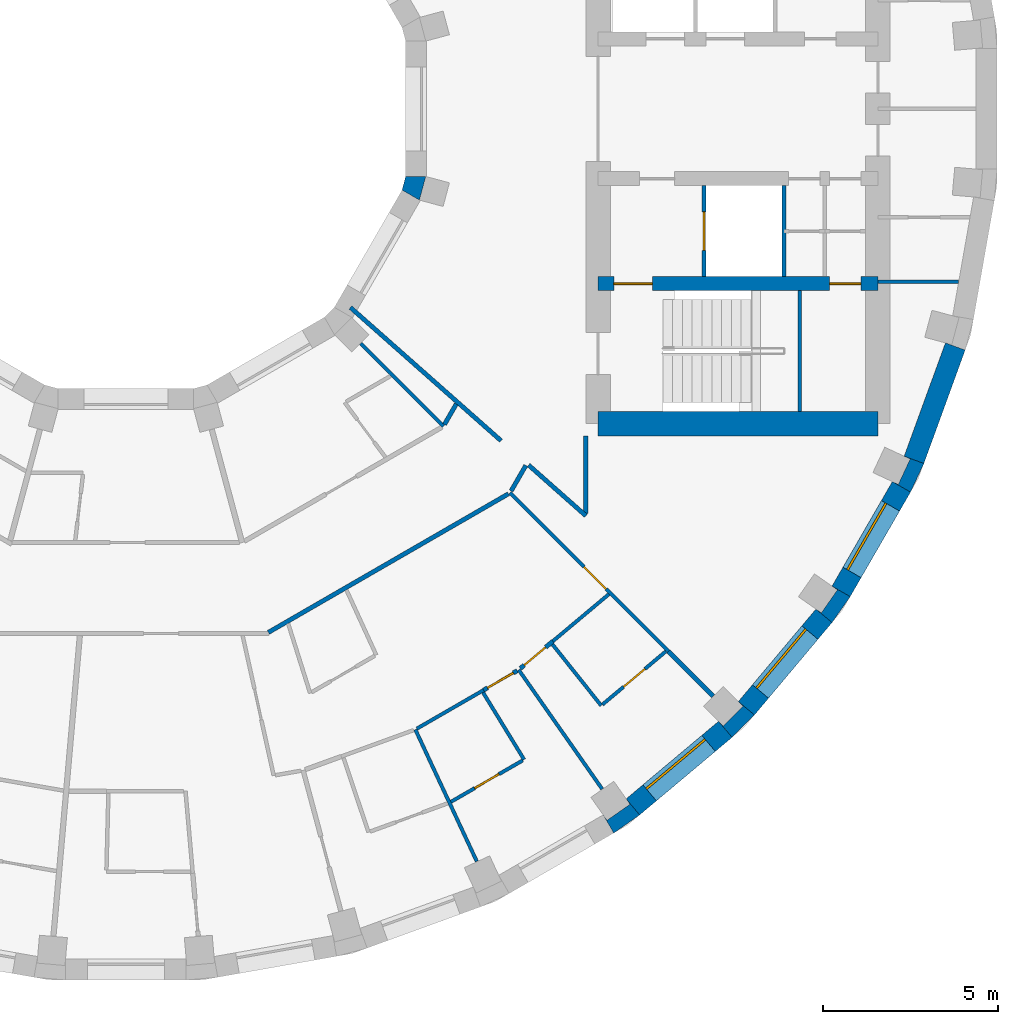
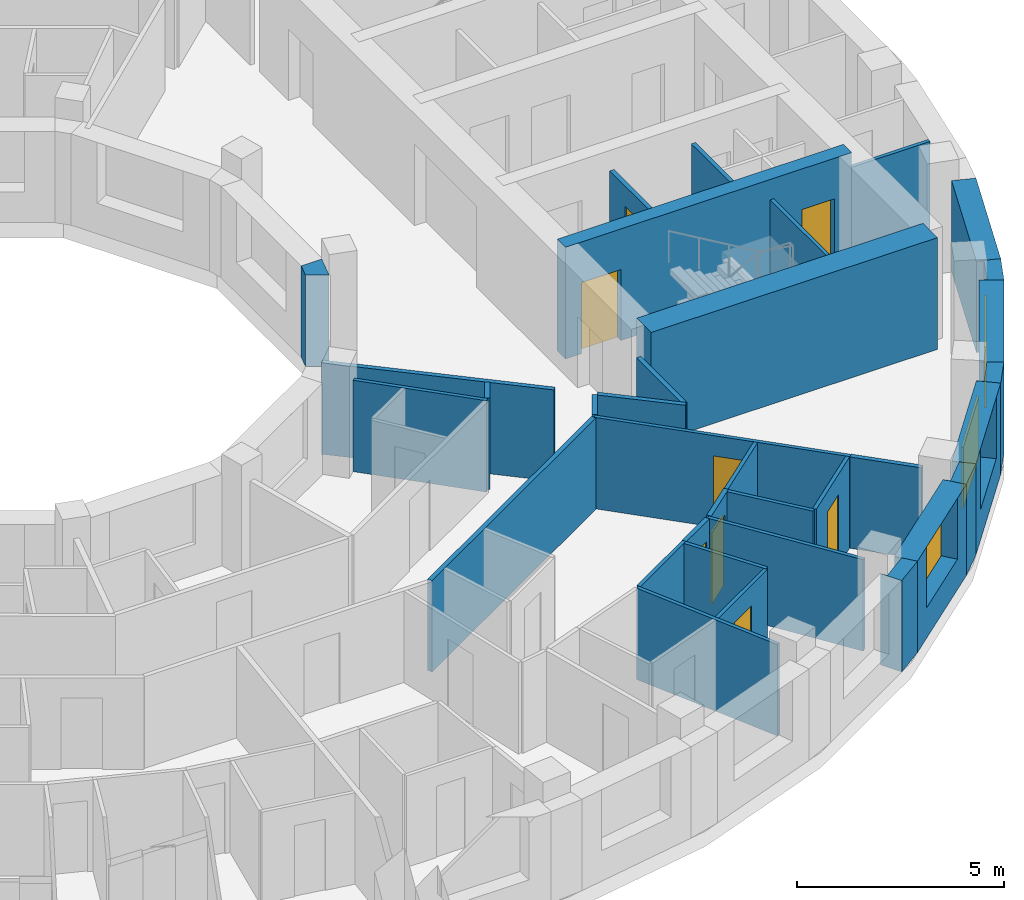
# One storey, part 8 of 14: 34 walls, 8 doors, 3 windows, 11 openings.
"""IFC4 building model written with IfcOpenShell, lengths in metres."""

from ifc_helpers import new_model, si_unit, direction, frame, frame_2d, origin, place, context, subcontext, project, spatial, polyline, rectangle, outline, extrude, material, layer, layer_set, type_object, element, fill, save


model = new_model("IFC4")

# Units and contexts
model_context = context("Model", 3, precision=1e-05, world=origin(), true_north=direction((0.0, 1.0)))
body_context = subcontext(model_context, "Body", "Model", "MODEL_VIEW")
ifc_project = project(units=[si_unit("LENGTHUNIT", "METRE"), si_unit("AREAUNIT", "SQUARE_METRE"), si_unit("VOLUMEUNIT", "CUBIC_METRE"), si_unit("PLANEANGLEUNIT", "RADIAN"), si_unit("MASSUNIT", "GRAM", prefix="KILO")], contexts=[model_context])

# Site, building, storey
site_placement = place(None, origin())
site = spatial("IfcSite", under=ifc_project, at=site_placement, CompositionType="ELEMENT")
building_placement = place(site_placement, origin())
building = spatial("IfcBuilding", under=site, at=building_placement, Name="Saqina Gate Tower", CompositionType="ELEMENT")
storey_placement = place(building_placement, frame((0.0, 0.0, 216.89990234375)))
storey = spatial("IfcBuildingStorey", under=building, at=storey_placement, Name="L62", CompositionType="ELEMENT", Elevation=216.89990234375)

# Walls
ifc_material_1 = material(Name="Brick masonry (buff)", Category="masonry")
wall_type_1 = type_object("IfcWallType", Name="BRICK PIER COPING BUFF", PredefinedType="SOLIDWALL", material=ifc_material_1)
wall_1_placement = place(storey_placement, origin())
element("IfcWall", 1, at=wall_1_placement, inside=storey, type_object=wall_type_1, Name="Pier cap L62 column 31", PredefinedType="SOLIDWALL", context=body_context, shape_type="SweptSolid", body=[
    extrude(outline(polyline([(13.9462890625, -20.705810546875), (14.687255859375, -20.18701171875), (14.301513671875, -19.727294921875), (14.408935546875, -19.880859375), (13.753662109375, -20.339599609375), (13.646240234375, -20.186279296875), (13.9462890625, -20.705810546875)])), origin(), (0.0, 0.0, 1.0), 2.7001953125),
])
wall_2_placement = place(storey_placement, origin())
element("IfcWall", 2, at=wall_2_placement, inside=storey, type_object=wall_type_1, Name="Pier cap L62 column 32", PredefinedType="SOLIDWALL", context=body_context, shape_type="SweptSolid", body=[
    extrude(outline(polyline([(17.969482421875, -17.329833984375), (17.510009765625, -16.944091796875), (17.642333984375, -17.07666015625), (17.07666015625, -17.642333984375), (16.944091796875, -17.510009765625), (17.329833984375, -17.969482421875), (17.969482421875, -17.329833984375)])), origin(), (0.0, 0.0, 1.0), 2.7001953125),
])
wall_3_placement = place(storey_placement, origin())
element("IfcWall", 3, at=wall_3_placement, inside=storey, type_object=wall_type_1, Name="Pier cap L62 column 33", PredefinedType="SOLIDWALL", context=body_context, shape_type="SweptSolid", body=[
    extrude(outline(polyline([(20.18701171875, -14.687255859375), (20.705810546875, -13.9462890625), (20.186279296875, -13.646240234375), (20.339599609375, -13.753662109375), (19.880859375, -14.408935546875), (19.727294921875, -14.301513671875), (20.18701171875, -14.687255859375)])), origin(), (0.0, 0.0, 1.0), 2.7001953125),
])
wall_4_placement = place(storey_placement, origin())
element("IfcWall", 4, at=wall_4_placement, inside=storey, type_object=wall_type_1, Name="Pier cap L62 column 34", PredefinedType="SOLIDWALL", context=body_context, shape_type="SweptSolid", body=[
    extrude(outline(polyline([(22.81298828125, -10.138916015625), (22.249267578125, -9.93359375), (22.4189453125, -10.0126953125), (22.080810546875, -10.73779296875), (21.9111328125, -10.65869140625), (22.4306640625, -10.958740234375), (22.81298828125, -10.138916015625)])), origin(), (0.0, 0.0, 1.0), 2.7001953125),
])
ifc_material_2 = material(Name="Gypsum board on steel studs", Category="steel")
ifc_layer_1 = layer(ifc_material_2, 0.10009765625)
ifc_layer_set_1 = layer_set([ifc_layer_1], Name="CORE PARTITION")
wall_type_2 = type_object("IfcWallType", Name="CORE PARTITION", PredefinedType="PARTITIONING", material=ifc_layer_set_1)
wall_5_placement = place(storey_placement, frame((21.5, -4.949951171875, 0.0), z_axis=(0.0, 0.0, 1.0), x_axis=(1.0, 0.0, 0.0)))
element("IfcWall", 5, at=wall_5_placement, inside=storey, type_object=wall_type_2, Name="L62-CP-E03", PredefinedType="PARTITIONING", context=body_context, shape_type="SweptSolid", body=[
    extrude(rectangle(XDim=2.306884765625, YDim=0.10009765625, at=frame_2d((1.1533203125, 0.0))), origin(), (0.0, 0.0, 1.0), 2.7001953125),
])

# Wall, opening, window
ifc_material_3 = material(Name="Brick masonry (buff)", Category="masonry")
ifc_layer_2 = layer(ifc_material_3, 0.60009765625)
ifc_layer_set_2 = layer_set([ifc_layer_2], Name="FW-BRICK-BUFF")
wall_type_3 = type_object("IfcWallType", Name="FW-BRICK-BUFF", PredefinedType="SOLIDWALL", material=ifc_layer_set_2)
wall_6_placement = place(storey_placement, frame((14.494384765625, -19.95703125, 0.0), z_axis=(0.0, 0.0, 1.0), x_axis=(0.766058884809, 0.642770398358, 0.0)))
wall_6 = element("IfcWall", 6, at=wall_6_placement, inside=storey, type_object=wall_type_3, Name="Facade wall L62 facet 31", PredefinedType="SOLIDWALL", context=body_context, shape_type="SweptSolid", body=[
    extrude(rectangle(XDim=3.449462890625, YDim=0.60009765625, at=frame_2d((1.724609375, 0.0))), origin(), (0.0, 0.0, 1.0), 2.7001953125),
])
opening_1_placement = place(wall_6_placement, frame((0.625, 0.0, 0.89990234375)))
opening_1 = element("IfcOpeningElement", 7, at=opening_1_placement, cuts=wall_6, Name="Opening G18-W20", PredefinedType="OPENING", context=body_context, shape_type="SweptSolid", body=[
    extrude(rectangle(XDim=2.199951171875, YDim=1.800048828125, at=frame_2d((1.10009765625, 0.89990234375))), frame((0.0, 0.31201171875, 0.0), z_axis=(0.0, -1.0, 0.0), x_axis=(1.0, 0.0, 0.0)), (0.0, 0.0, 1.0), 0.6240234375),
])
ifc_material_4 = material(Name="Aluminium glazing", Category="aluminium")
window_type = type_object("IfcWindowType", Name="WN-C", PartitioningType="SINGLE_PANEL", PredefinedType="WINDOW", material=ifc_material_4)
window_1_placement = place(opening_1_placement, origin())
window_1 = element("IfcWindow", 8, at=window_1_placement, inside=storey, type_object=window_type, Name="Window L62 facet 31", OverallHeight=1.800048828125, OverallWidth=2.199951171875, PartitioningType="SINGLE_PANEL", PredefinedType="WINDOW", context=body_context, shape_type="SweptSolid", body=[
    extrude(rectangle(XDim=2.199951171875, YDim=1.800048828125, at=frame_2d((1.10009765625, 0.89990234375))), frame((0.0, 0.179931640625, 0.0), z_axis=(0.0, -1.0, 0.0), x_axis=(1.0, 0.0, 0.0)), (0.0, 0.0, 1.0), 0.06005859375),
])
fill(opening_1, window_1)

wall_7_placement = place(storey_placement, frame((17.73974609375, -17.136962890625, 0.0), z_axis=(0.0, 0.0, 1.0), x_axis=(0.642770398358, 0.766058884809, 0.0)))
wall_7 = element("IfcWall", 9, at=wall_7_placement, inside=storey, type_object=wall_type_3, Name="Facade wall L62 facet 32", PredefinedType="SOLIDWALL", context=body_context, shape_type="SweptSolid", body=[
    extrude(rectangle(XDim=3.449462890625, YDim=0.60009765625, at=frame_2d((1.724609375, 0.0))), origin(), (0.0, 0.0, 1.0), 2.7001953125),
])
opening_2_placement = place(wall_7_placement, frame((0.625, 0.0, 0.89990234375)))
opening_2 = element("IfcOpeningElement", 10, at=opening_2_placement, cuts=wall_7, Name="Opening G18-W21", PredefinedType="OPENING", context=body_context, shape_type="SweptSolid", body=[
    extrude(rectangle(XDim=2.199951171875, YDim=1.800048828125, at=frame_2d((1.10009765625, 0.89990234375))), frame((0.0, 0.31201171875, 0.0), z_axis=(0.0, -1.0, 0.0), x_axis=(1.0, 0.0, 0.0)), (0.0, 0.0, 1.0), 0.6240234375),
])
window_2_placement = place(opening_2_placement, origin())
window_2 = element("IfcWindow", 11, at=window_2_placement, inside=storey, type_object=window_type, Name="Window L62 facet 32", OverallHeight=1.800048828125, OverallWidth=2.199951171875, PartitioningType="SINGLE_PANEL", PredefinedType="WINDOW", context=body_context, shape_type="SweptSolid", body=[
    extrude(rectangle(XDim=2.199951171875, YDim=1.800048828125, at=frame_2d((1.10009765625, 0.89990234375))), frame((0.0, 0.179931640625, 0.0), z_axis=(0.0, -1.0, 0.0), x_axis=(1.0, 0.0, 0.0)), (0.0, 0.0, 1.0), 0.06005859375),
])
fill(opening_2, window_2)

wall_8_placement = place(storey_placement, frame((20.446044921875, -13.796142578125, 0.0), z_axis=(0.0, 0.0, 1.0), x_axis=(0.499998129301, 0.86602648383, 0.0)))
wall_8 = element("IfcWall", 12, at=wall_8_placement, inside=storey, type_object=wall_type_3, Name="Facade wall L62 facet 33", PredefinedType="SOLIDWALL", context=body_context, shape_type="SweptSolid", body=[
    extrude(rectangle(XDim=3.44970703125, YDim=0.60009765625, at=frame_2d((1.724853515625, 0.0))), origin(), (0.0, 0.0, 1.0), 2.7001953125),
])
opening_3_placement = place(wall_8_placement, frame((0.625, 0.0, 0.89990234375)))
opening_3 = element("IfcOpeningElement", 13, at=opening_3_placement, cuts=wall_8, Name="Opening G18-W22", PredefinedType="OPENING", context=body_context, shape_type="SweptSolid", body=[
    extrude(rectangle(XDim=2.199951171875, YDim=1.800048828125, at=frame_2d((1.10009765625, 0.89990234375))), frame((0.0, 0.31201171875, 0.0), z_axis=(0.0, -1.0, 0.0), x_axis=(1.0, 0.0, 0.0)), (0.0, 0.0, 1.0), 0.6240234375),
])
window_3_placement = place(opening_3_placement, origin())
window_3 = element("IfcWindow", 14, at=window_3_placement, inside=storey, type_object=window_type, Name="Window L62 facet 33", OverallHeight=1.800048828125, OverallWidth=2.199951171875, PartitioningType="SINGLE_PANEL", PredefinedType="WINDOW", context=body_context, shape_type="SweptSolid", body=[
    extrude(rectangle(XDim=2.199951171875, YDim=1.800048828125, at=frame_2d((1.10009765625, 0.89990234375))), frame((0.0, 0.179931640625, 0.0), z_axis=(0.0, -1.0, 0.0), x_axis=(1.0, 0.0, 0.0)), (0.0, 0.0, 1.0), 0.06005859375),
])
fill(opening_3, window_3)

# Walls
ifc_material_5 = material(Name="Glazed ceramic tile (white)", Category="ceramic")
ifc_layer_3 = layer(ifc_material_5, 0.60009765625)
ifc_layer_set_3 = layer_set([ifc_layer_3], Name="FW-TILE-WH")
wall_type_4 = type_object("IfcWallType", Name="FW-TILE-WH", PredefinedType="SOLIDWALL", material=ifc_layer_set_3)
wall_9_placement = place(storey_placement, frame((22.531005859375, -10.0361328125, 0.0), z_axis=(0.0, 0.0, 1.0), x_axis=(0.342032843455, 0.93968799822, 0.0)))
element("IfcWall", 15, at=wall_9_placement, inside=storey, type_object=wall_type_4, Name="Facade wall L62 facet 34", PredefinedType="SOLIDWALL", context=body_context, shape_type="SweptSolid", body=[
    extrude(rectangle(XDim=3.44970703125, YDim=0.60009765625, at=frame_2d((1.724853515625, 0.0))), origin(), (0.0, 0.0, 1.0), 2.7001953125),
])
ifc_material_6 = material(Name="Gypsum board on steel studs, 100 mm", Category="steel")
ifc_layer_4 = layer(ifc_material_6, 0.10009765625)
ifc_layer_set_4 = layer_set([ifc_layer_4], Name="PARTITION 100")
wall_type_5 = type_object("IfcWallType", Name="PARTITION 100", PredefinedType="PARTITIONING", material=ifc_layer_set_4)
wall_10_placement = place(storey_placement, frame((8.27490234375, -17.7451171875, 0.0), z_axis=(0.0, 0.0, 1.0), x_axis=(0.42246777717, -0.906377943936, 0.0)))
element("IfcWall", 16, at=wall_10_placement, inside=storey, type_object=wall_type_5, Name="PARTITION PW3-09", PredefinedType="PARTITIONING", context=body_context, shape_type="SweptSolid", body=[
    extrude(rectangle(XDim=4.16015625, YDim=0.10009765625, at=frame_2d((2.080078125, 0.0))), origin(), (0.0, 0.0, 1.0), 2.7001953125),
])
wall_11_placement = place(storey_placement, frame((10.210205078125, -16.685546875, 0.0), z_axis=(0.0, 0.0, 1.0), x_axis=(0.522037907824, -0.852922284147, 0.0)))
element("IfcWall", 17, at=wall_11_placement, inside=storey, type_object=wall_type_5, Name="PARTITION PW3-10", PredefinedType="PARTITIONING", context=body_context, shape_type="SweptSolid", body=[
    extrude(rectangle(XDim=2.25048828125, YDim=0.10009765625, at=frame_2d((1.125244140625, 0.0))), origin(), (0.0, 0.0, 1.0), 2.7001953125),
])
wall_12_placement = place(storey_placement, frame((11.22998046875, -16.0380859375, 0.0), z_axis=(0.0, 0.0, 1.0), x_axis=(0.573525346877, -0.81918781515, 0.0)))
element("IfcWall", 18, at=wall_12_placement, inside=storey, type_object=wall_type_5, Name="PARTITION PW3-12", PredefinedType="PARTITIONING", context=body_context, shape_type="SweptSolid", body=[
    extrude(rectangle(XDim=4.1611328125, YDim=0.10009765625, at=frame_2d((2.08056640625, 0.0))), origin(), (0.0, 0.0, 1.0), 2.7001953125),
])
wall_13_placement = place(storey_placement, frame((12.195068359375, -15.31103515625, 0.0), z_axis=(0.0, 0.0, 1.0), x_axis=(0.623070217722, -0.782165905539, 0.0)))
element("IfcWall", 19, at=wall_13_placement, inside=storey, type_object=wall_type_5, Name="PARTITION PW3-14", PredefinedType="PARTITIONING", context=body_context, shape_type="SweptSolid", body=[
    extrude(rectangle(XDim=2.2373046875, YDim=0.10009765625, at=frame_2d((1.11865234375, 0.0))), origin(), (0.0, 0.0, 1.0), 2.7001953125),
])
wall_14_placement = place(storey_placement, frame((6.7119140625, -6.7119140625, 0.0), z_axis=(0.0, 0.0, 1.0), x_axis=(0.707106781187, -0.707106781187, 0.0)))
element("IfcWall", 20, at=wall_14_placement, inside=storey, type_object=wall_type_5, Name="PARTITION PW3-19", PredefinedType="PARTITIONING", context=body_context, shape_type="SweptSolid", body=[
    extrude(rectangle(XDim=3.344482421875, YDim=0.10009765625, at=frame_2d((1.67236328125, 0.0))), origin(), (0.0, 0.0, 1.0), 2.7001953125),
])

# Wall, opening, door
wall_15_placement = place(storey_placement, frame((10.98095703125, -10.98095703125, 0.0), z_axis=(0.0, 0.0, 1.0), x_axis=(0.707106781187, -0.707106781187, 0.0)))
wall_15 = element("IfcWall", 21, at=wall_15_placement, inside=storey, type_object=wall_type_5, Name="PARTITION PW3-20", PredefinedType="PARTITIONING", context=body_context, shape_type="SweptSolid", body=[
    extrude(rectangle(XDim=6.408203125, YDim=0.10009765625, at=frame_2d((3.2041015625, 0.0))), origin(), (0.0, 0.0, 1.0), 2.7001953125),
])
opening_4_placement = place(wall_15_placement, frame((2.983642578125, 0.0, 0.0)))
opening_4 = element("IfcOpeningElement", 22, at=opening_4_placement, cuts=wall_15, Name="Opening G18-D56", PredefinedType="OPENING", context=body_context, shape_type="SweptSolid", body=[
    extrude(rectangle(XDim=0.89990234375, YDim=2.10009765625, at=frame_2d((0.449951171875, 1.050048828125))), frame((0.0, 0.06201171875, 0.0), z_axis=(0.0, -1.0, 0.0), x_axis=(1.0, 0.0, 0.0)), (0.0, 0.0, 1.0), 0.1240234375),
])
ifc_material_7 = material(Name="Timber door leaf, 900 mm", Category="wood")
door_type_1 = type_object("IfcDoorType", Name="DOOR 900 TIMBER", OperationType="SINGLE_SWING_LEFT", PredefinedType="DOOR", material=ifc_material_7)
door_1_placement = place(opening_4_placement, origin())
door_1 = element("IfcDoor", 23, at=door_1_placement, inside=storey, type_object=door_type_1, Name="DOOR G18-D56", OperationType="SINGLE_SWING_RIGHT", OverallHeight=2.10009765625, OverallWidth=0.89990234375, PredefinedType="DOOR", context=body_context, shape_type="SweptSolid", body=[
    extrude(rectangle(XDim=0.89990234375, YDim=2.10009765625, at=frame_2d((0.449951171875, 1.050048828125))), frame((0.0, 0.02490234375, 0.0), z_axis=(0.0, -1.0, 0.0), x_axis=(1.0, 0.0, 0.0)), (0.0, 0.0, 1.0), 0.050048828125),
])
fill(opening_4, door_1)

wall_16_placement = place(storey_placement, frame((9.293212890625, -19.81201171875, 0.0), z_axis=(0.0, 0.0, 1.0), x_axis=(0.866139183788, 0.49980287545, 0.0)))
wall_16 = element("IfcWall", 24, at=wall_16_placement, inside=storey, type_object=wall_type_5, Name="PARTITION PW3-55", PredefinedType="PARTITIONING", context=body_context, shape_type="SweptSolid", body=[
    extrude(rectangle(XDim=2.365234375, YDim=0.10009765625, at=frame_2d((1.1826171875, 0.0))), origin(), (0.0, 0.0, 1.0), 2.7001953125),
])
opening_5_placement = place(wall_16_placement, frame((0.782470703125, 0.0, 0.0)))
opening_5 = element("IfcOpeningElement", 25, at=opening_5_placement, cuts=wall_16, Name="Opening G18-D50", PredefinedType="OPENING", context=body_context, shape_type="SweptSolid", body=[
    extrude(rectangle(XDim=0.800048828125, YDim=2.10009765625, at=frame_2d((0.39990234375, 1.050048828125))), frame((0.0, 0.06201171875, 0.0), z_axis=(0.0, -1.0, 0.0), x_axis=(1.0, 0.0, 0.0)), (0.0, 0.0, 1.0), 0.1240234375),
])
ifc_material_8 = material(Name="Timber door leaf, 800 mm", Category="wood")
door_type_2 = type_object("IfcDoorType", Name="DOOR 800 TIMBER", OperationType="SINGLE_SWING_LEFT", PredefinedType="DOOR", material=ifc_material_8)
door_2_placement = place(opening_5_placement, frame((0.800048828125, 0.0, 0.0), z_axis=(0.0, 0.0, 1.0), x_axis=(-1.0, 0.0, 0.0)))
door_2 = element("IfcDoor", 26, at=door_2_placement, inside=storey, type_object=door_type_2, Name="DOOR G18-D50", OperationType="SINGLE_SWING_LEFT", OverallHeight=2.10009765625, OverallWidth=0.800048828125, PredefinedType="DOOR", context=body_context, shape_type="SweptSolid", body=[
    extrude(rectangle(XDim=0.800048828125, YDim=2.10009765625, at=frame_2d((0.39990234375, 1.050048828125))), frame((0.0, 0.02490234375, 0.0), z_axis=(0.0, -1.0, 0.0), x_axis=(1.0, 0.0, 0.0)), (0.0, 0.0, 1.0), 0.050048828125),
])
fill(opening_5, door_2)

# Wall
wall_17_placement = place(storey_placement, frame((8.318359375, -17.719970703125, 0.0), z_axis=(0.0, 0.0, 1.0), x_axis=(0.866039875853, 0.499974932805, 0.0)))
element("IfcWall", 27, at=wall_17_placement, inside=storey, type_object=wall_type_5, Name="PARTITION PW3-56", PredefinedType="PARTITIONING", context=body_context, shape_type="SweptSolid", body=[
    extrude(rectangle(XDim=2.2041015625, YDim=0.10009765625, at=frame_2d((1.10205078125, 0.0))), origin(), (0.0, 0.0, 1.0), 2.7001953125),
])

# Wall, opening, door
wall_18_placement = place(storey_placement, frame((13.627197265625, -17.02880859375, 0.0), z_axis=(0.0, 0.0, 1.0), x_axis=(0.766091436164, 0.642731601399, 0.0)))
wall_18 = element("IfcWall", 28, at=wall_18_placement, inside=storey, type_object=wall_type_5, Name="PARTITION PW3-63", PredefinedType="PARTITIONING", context=body_context, shape_type="SweptSolid", body=[
    extrude(rectangle(XDim=2.363037109375, YDim=0.10009765625, at=frame_2d((1.181640625, 0.0))), origin(), (0.0, 0.0, 1.0), 2.7001953125),
])
opening_6_placement = place(wall_18_placement, frame((0.7822265625, 0.0, 0.0)))
opening_6 = element("IfcOpeningElement", 29, at=opening_6_placement, cuts=wall_18, Name="Opening G18-D55", PredefinedType="OPENING", context=body_context, shape_type="SweptSolid", body=[
    extrude(rectangle(XDim=0.800048828125, YDim=2.10009765625, at=frame_2d((0.39990234375, 1.050048828125))), frame((0.0, 0.06201171875, 0.0), z_axis=(0.0, -1.0, 0.0), x_axis=(1.0, 0.0, 0.0)), (0.0, 0.0, 1.0), 0.1240234375),
])
door_3_placement = place(opening_6_placement, frame((0.800048828125, 0.0, 0.0), z_axis=(0.0, 0.0, 1.0), x_axis=(-1.0, 0.0, 0.0)))
door_3 = element("IfcDoor", 30, at=door_3_placement, inside=storey, type_object=door_type_2, Name="DOOR G18-D55", OperationType="SINGLE_SWING_LEFT", OverallHeight=2.10009765625, OverallWidth=0.800048828125, PredefinedType="DOOR", context=body_context, shape_type="SweptSolid", body=[
    extrude(rectangle(XDim=0.800048828125, YDim=2.10009765625, at=frame_2d((0.39990234375, 1.050048828125))), frame((0.0, 0.02490234375, 0.0), z_axis=(0.0, -1.0, 0.0), x_axis=(1.0, 0.0, 0.0)), (0.0, 0.0, 1.0), 0.050048828125),
])
fill(opening_6, door_3)

# Walls
wall_19_placement = place(storey_placement, frame((12.203857421875, -15.221923828125, 0.0), z_axis=(0.0, 0.0, 1.0), x_axis=(0.766132236748, 0.6426829668, 0.0)))
element("IfcWall", 31, at=wall_19_placement, inside=storey, type_object=wall_type_5, Name="PARTITION PW3-64", PredefinedType="PARTITIONING", context=body_context, shape_type="SweptSolid", body=[
    extrude(rectangle(XDim=2.09228515625, YDim=0.10009765625, at=frame_2d((1.046142578125, 0.0))), origin(), (0.0, 0.0, 1.0), 2.7001953125),
])
ifc_material_9 = material(Name="Gypsum board on steel studs, 125 mm, fire rated", Category="steel")
ifc_layer_5 = layer(ifc_material_9, 0.125)
ifc_layer_set_5 = layer_set([ifc_layer_5], Name="PARTITION EI 30 125")
wall_type_6 = type_object("IfcWallType", Name="PARTITION EI 30 125", PredefinedType="PARTITIONING", material=ifc_layer_set_5)
wall_20_placement = place(storey_placement, frame((15.51123046875, -15.51318359375, 0.0), z_axis=(0.0, 0.0, 1.0), x_axis=(0.707106781187, -0.707106781187, 0.0)))
element("IfcWall", 32, at=wall_20_placement, inside=storey, type_object=wall_type_6, Name="PARTITION PW1-10", PredefinedType="PARTITIONING", context=body_context, shape_type="SweptSolid", body=[
    extrude(rectangle(XDim=1.80224609375, YDim=0.125, at=frame_2d((0.901123046875, 0.0))), origin(), (0.0, 0.0, 1.0), 2.7001953125),
])
wall_21_placement = place(storey_placement, frame((6.419921875, -5.679931640625, 0.0), z_axis=(0.0, 0.0, 1.0), x_axis=(0.74898196967, -0.662590378068, 0.0)))
element("IfcWall", 33, at=wall_21_placement, inside=storey, type_object=wall_type_6, Name="PARTITION PW1-13", PredefinedType="PARTITIONING", context=body_context, shape_type="SweptSolid", body=[
    extrude(rectangle(XDim=5.748046875, YDim=0.125, at=frame_2d((2.8740234375, 0.0))), origin(), (0.0, 0.0, 1.0), 2.7001953125),
])
wall_22_placement = place(storey_placement, frame((11.51171875, -10.1845703125, 0.0), z_axis=(0.0, 0.0, 1.0), x_axis=(0.748928386133, -0.66265094314, 0.0)))
element("IfcWall", 34, at=wall_22_placement, inside=storey, type_object=wall_type_6, Name="PARTITION PW1-14", PredefinedType="PARTITIONING", context=body_context, shape_type="SweptSolid", body=[
    extrude(rectangle(XDim=2.187255859375, YDim=0.125, at=frame_2d((1.09375, 0.0))), origin(), (0.0, 0.0, 1.0), 2.7001953125),
])

# Wall, opening, door
wall_23_placement = place(storey_placement, frame((10.227294921875, -16.617919921875, 0.0), z_axis=(0.0, 0.0, 1.0), x_axis=(0.865642357341, 0.50066286978, 0.0)))
wall_23 = element("IfcWall", 35, at=wall_23_placement, inside=storey, type_object=wall_type_6, Name="PARTITION PW1-35", PredefinedType="PARTITIONING", context=body_context, shape_type="SweptSolid", body=[
    extrude(rectangle(XDim=1.1083984375, YDim=0.125, at=frame_2d((0.55419921875, 0.0))), origin(), (0.0, 0.0, 1.0), 2.7001953125),
])
opening_7_placement = place(wall_23_placement, frame((0.129150390625, 0.0, 0.0)))
opening_7 = element("IfcOpeningElement", 36, at=opening_7_placement, cuts=wall_23, Name="Opening G18-D52", PredefinedType="OPENING", context=body_context, shape_type="SweptSolid", body=[
    extrude(rectangle(XDim=0.85009765625, YDim=2.10009765625, at=frame_2d((0.425048828125, 1.050048828125))), frame((0.0, 0.074462890625, 0.0), z_axis=(0.0, -1.0, 0.0), x_axis=(1.0, 0.0, 0.0)), (0.0, 0.0, 1.0), 0.14892578125),
])
ifc_material_10 = material(Name="Fire door leaf EI 30, 850 mm")
door_type_3 = type_object("IfcDoorType", Name="DOOR 850 EI 30", OperationType="SINGLE_SWING_LEFT", PredefinedType="DOOR", material=ifc_material_10)
door_4_placement = place(opening_7_placement, origin())
door_4 = element("IfcDoor", 37, at=door_4_placement, inside=storey, type_object=door_type_3, Name="DOOR G18-D52", OperationType="SINGLE_SWING_RIGHT", OverallHeight=2.10009765625, OverallWidth=0.85009765625, PredefinedType="DOOR", context=body_context, shape_type="SweptSolid", body=[
    extrude(rectangle(XDim=0.85009765625, YDim=2.10009765625, at=frame_2d((0.425048828125, 1.050048828125))), frame((0.0, 0.02490234375, 0.0), z_axis=(0.0, -1.0, 0.0), x_axis=(1.0, 0.0, 0.0)), (0.0, 0.0, 1.0), 0.050048828125),
])
fill(opening_7, door_4)

# Wall
wall_24_placement = place(storey_placement, frame((4.0732421875, -14.96875, 0.0), z_axis=(0.0, 0.0, 1.0), x_axis=(0.866056845741, 0.499945536979, 0.0)))
element("IfcWall", 38, at=wall_24_placement, inside=storey, type_object=wall_type_6, Name="PARTITION PW1-36", PredefinedType="PARTITIONING", context=body_context, shape_type="SweptSolid", body=[
    extrude(rectangle(XDim=7.92626953125, YDim=0.125, at=frame_2d((3.963134765625, 0.0))), origin(), (0.0, 0.0, 1.0), 2.7001953125),
])

# Wall, opening, door
wall_25_placement = place(storey_placement, frame((11.27783203125, -15.997802734375, 0.0), z_axis=(0.0, 0.0, 1.0), x_axis=(0.766877941262, 0.641792975348, 0.0)))
wall_25 = element("IfcWall", 39, at=wall_25_placement, inside=storey, type_object=wall_type_6, Name="PARTITION PW1-41", PredefinedType="PARTITIONING", context=body_context, shape_type="SweptSolid", body=[
    extrude(rectangle(XDim=1.208251953125, YDim=0.125, at=frame_2d((0.60400390625, 0.0))), origin(), (0.0, 0.0, 1.0), 2.7001953125),
])
opening_8_placement = place(wall_25_placement, frame((0.1416015625, 0.0, 0.0)))
opening_8 = element("IfcOpeningElement", 40, at=opening_8_placement, cuts=wall_25, Name="Opening G18-D54", PredefinedType="OPENING", context=body_context, shape_type="SweptSolid", body=[
    extrude(rectangle(XDim=0.800048828125, YDim=2.10009765625, at=frame_2d((0.39990234375, 1.050048828125))), frame((0.0, 0.074462890625, 0.0), z_axis=(0.0, -1.0, 0.0), x_axis=(1.0, 0.0, 0.0)), (0.0, 0.0, 1.0), 0.14892578125),
])
ifc_material_11 = material(Name="Fire door leaf EI 30, 800 mm")
door_type_4 = type_object("IfcDoorType", Name="DOOR 800 EI 30", OperationType="SINGLE_SWING_LEFT", PredefinedType="DOOR", material=ifc_material_11)
door_5_placement = place(opening_8_placement, origin())
door_5 = element("IfcDoor", 41, at=door_5_placement, inside=storey, type_object=door_type_4, Name="DOOR G18-D54", OperationType="SINGLE_SWING_LEFT", OverallHeight=2.10009765625, OverallWidth=0.800048828125, PredefinedType="DOOR", context=body_context, shape_type="SweptSolid", body=[
    extrude(rectangle(XDim=0.800048828125, YDim=2.10009765625, at=frame_2d((0.39990234375, 1.050048828125))), frame((0.0, 0.02490234375, 0.0), z_axis=(0.0, -1.0, 0.0), x_axis=(1.0, 0.0, 0.0)), (0.0, 0.0, 1.0), 0.050048828125),
])
fill(opening_8, door_5)

# Walls
wall_26_placement = place(storey_placement, frame((11.01220703125, -10.9267578125, 0.0), z_axis=(0.0, 0.0, 1.0), x_axis=(0.500190688257, 0.865915281873, 0.0)))
element("IfcWall", 42, at=wall_26_placement, inside=storey, type_object=wall_type_6, Name="PARTITION PW1-46", PredefinedType="PARTITIONING", context=body_context, shape_type="SweptSolid", body=[
    extrude(rectangle(XDim=0.842529296875, YDim=0.125, at=frame_2d((0.42138671875, 0.0))), origin(), (0.0, 0.0, 1.0), 2.7001953125),
])
wall_27_placement = place(storey_placement, frame((9.1083984375, -9.02294921875, 0.0), z_axis=(0.0, 0.0, 1.0), x_axis=(0.500422377307, 0.865781406759, 0.0)))
element("IfcWall", 43, at=wall_27_placement, inside=storey, type_object=wall_type_6, Name="PARTITION PW1-47", PredefinedType="PARTITIONING", context=body_context, shape_type="SweptSolid", body=[
    extrude(rectangle(XDim=0.67431640625, YDim=0.125, at=frame_2d((0.337158203125, 0.0))), origin(), (0.0, 0.0, 1.0), 2.7001953125),
])
wall_28_placement = place(storey_placement, frame((13.14990234375, -11.571533203125, 0.0), z_axis=(0.0, 0.0, 1.0), x_axis=(0.0, 1.0, 0.0)))
element("IfcWall", 44, at=wall_28_placement, inside=storey, type_object=wall_type_6, Name="PARTITION PW1-50", PredefinedType="PARTITIONING", context=body_context, shape_type="SweptSolid", body=[
    extrude(rectangle(XDim=2.221435546875, YDim=0.125, at=frame_2d((1.11083984375, 0.0))), origin(), (0.0, 0.0, 1.0), 2.7001953125),
])

# Wall, opening, door
ifc_material_12 = material(Name="Autoclaved aerated concrete block", Category="concrete")
ifc_layer_6 = layer(ifc_material_12, 0.1201171875)
ifc_layer_set_6 = layer_set([ifc_layer_6], Name="SHAFT PARTITION")
wall_type_7 = type_object("IfcWallType", Name="SHAFT PARTITION", PredefinedType="PARTITIONING", material=ifc_layer_set_6)
wall_29_placement = place(storey_placement, frame((16.530029296875, -4.800048828125, 0.0), z_axis=(0.0, 0.0, 1.0), x_axis=(0.0, 1.0, 0.0)))
wall_29 = element("IfcWall", 45, at=wall_29_placement, inside=storey, type_object=wall_type_7, Name="L62-CP-E08", PredefinedType="PARTITIONING", context=body_context, shape_type="SweptSolid", body=[
    extrude(rectangle(XDim=2.60009765625, YDim=0.1201171875, at=frame_2d((1.300048828125, 0.0))), origin(), (0.0, 0.0, 1.0), 2.7001953125),
])
opening_9_placement = place(wall_29_placement, frame((0.75, 0.0, 0.0)))
opening_9 = element("IfcOpeningElement", 46, at=opening_9_placement, cuts=wall_29, Name="Opening G18-LD3", PredefinedType="OPENING", context=body_context, shape_type="SweptSolid", body=[
    extrude(rectangle(XDim=1.10009765625, YDim=2.10009765625, at=frame_2d((0.550048828125, 1.050048828125))), frame((0.0, 0.072021484375, 0.0), z_axis=(0.0, -1.0, 0.0), x_axis=(1.0, 0.0, 0.0)), (0.0, 0.0, 1.0), 0.14404296875),
])
ifc_material_13 = material(Name="Stainless steel", Category="steel")
door_type_5 = type_object("IfcDoorType", Name="LANDING DOOR", OperationType="DOUBLE_DOOR_SLIDING", PredefinedType="DOOR", material=ifc_material_13)
door_6_placement = place(opening_9_placement, origin())
door_6 = element("IfcDoor", 47, at=door_6_placement, inside=storey, type_object=door_type_5, Name="LANDING DOOR FF1", OperationType="DOUBLE_DOOR_SLIDING", OverallHeight=2.10009765625, OverallWidth=1.10009765625, PredefinedType="DOOR", context=body_context, shape_type="SweptSolid", body=[
    extrude(rectangle(XDim=1.10009765625, YDim=2.10009765625, at=frame_2d((0.550048828125, 1.050048828125))), frame((0.0, 0.02490234375, 0.0), z_axis=(0.0, -1.0, 0.0), x_axis=(1.0, 0.0, 0.0)), (0.0, 0.0, 1.0), 0.050048828125),
])
fill(opening_9, door_6)

# Walls
wall_30_placement = place(storey_placement, frame((18.81005859375, -4.800048828125, 0.0), z_axis=(0.0, 0.0, 1.0), x_axis=(0.0, 1.0, 0.0)))
element("IfcWall", 48, at=wall_30_placement, inside=storey, type_object=wall_type_7, Name="L62-CP-E09", PredefinedType="PARTITIONING", context=body_context, shape_type="SweptSolid", body=[
    extrude(rectangle(XDim=2.60009765625, YDim=0.1201171875, at=frame_2d((1.300048828125, 0.0))), origin(), (0.0, 0.0, 1.0), 2.7001953125),
])
ifc_material_14 = material(Name="Autoclaved aerated concrete block", Category="concrete")
ifc_layer_7 = layer(ifc_material_14, 0.10009765625)
ifc_layer_set_7 = layer_set([ifc_layer_7], Name="STAIR ENCLOSURE WALL")
wall_type_8 = type_object("IfcWallType", Name="STAIR ENCLOSURE WALL", PredefinedType="PARTITIONING", material=ifc_layer_set_7)
wall_31_placement = place(storey_placement, frame((19.27001953125, -8.64990234375, 0.0), z_axis=(0.0, 0.0, 1.0), x_axis=(0.0, 1.0, 0.0)))
element("IfcWall", 49, at=wall_31_placement, inside=storey, type_object=wall_type_8, Name="L62-CP-E15", PredefinedType="PARTITIONING", context=body_context, shape_type="SweptSolid", body=[
    extrude(rectangle(XDim=3.449951171875, YDim=0.10009765625, at=frame_2d((1.72509765625, 0.0))), origin(), (0.0, 0.0, 1.0), 2.7001953125),
])

# Wall, openings, doors
ifc_material_15 = material(Name="Concrete C60/75", Category="concrete")
ifc_layer_8 = layer(ifc_material_15, 0.39990234375)
ifc_layer_set_8 = layer_set([ifc_layer_8], Name="Concrete C60/75")
wall_type_9 = type_object("IfcWallType", Name="STR-CORE WALL-C-I", PredefinedType="SHEAR", material=ifc_layer_set_8)
wall_32_placement = place(storey_placement, frame((13.5, -5.0, 0.0), z_axis=(0.0, 0.0, 1.0), x_axis=(1.0, 0.0, 0.0)))
wall_32 = element("IfcWall", 50, at=wall_32_placement, inside=storey, type_object=wall_type_9, Name="CORE WALL L62 E-X2", PredefinedType="SHEAR", context=body_context, shape_type="SweptSolid", body=[
    extrude(rectangle(XDim=8.0, YDim=0.39990234375, at=frame_2d((4.0, 0.0))), origin(), (0.0, 0.0, 1.0), 3.300048828125),
])
opening_10_placement = place(wall_32_placement, frame((6.614990234375, 0.0, 0.0)))
opening_10 = element("IfcOpeningElement", 51, at=opening_10_placement, cuts=wall_32, Name="Opening G18-D102", PredefinedType="OPENING", context=body_context, shape_type="SweptSolid", body=[
    extrude(rectangle(XDim=0.89990234375, YDim=2.10009765625, at=frame_2d((0.449951171875, 1.050048828125))), frame((0.0, 0.2119140625, 0.0), z_axis=(0.0, -1.0, 0.0), x_axis=(1.0, 0.0, 0.0)), (0.0, 0.0, 1.0), 0.423828125),
])
opening_11_placement = place(wall_32_placement, frame((0.449951171875, 0.0, 0.0)))
opening_11 = element("IfcOpeningElement", 52, at=opening_11_placement, cuts=wall_32, Name="Opening G18-D103", PredefinedType="OPENING", context=body_context, shape_type="SweptSolid", body=[
    extrude(rectangle(XDim=1.10009765625, YDim=2.10009765625, at=frame_2d((0.550048828125, 1.050048828125))), frame((0.0, 0.2119140625, 0.0), z_axis=(0.0, -1.0, 0.0), x_axis=(1.0, 0.0, 0.0)), (0.0, 0.0, 1.0), 0.423828125),
])
ifc_material_16 = material(Name="Steel", Category="steel")
door_type_6 = type_object("IfcDoorType", Name="FIRE LOBBY DOOR EI 60 WIDE", OperationType="SINGLE_SWING_LEFT", PredefinedType="DOOR", material=ifc_material_16)
door_7_placement = place(opening_11_placement, frame((1.10009765625, 0.0, 0.0), z_axis=(0.0, 0.0, 1.0), x_axis=(-1.0, 0.0, 0.0)))
door_7 = element("IfcDoor", 53, at=door_7_placement, inside=storey, type_object=door_type_6, Name="L62-CD-E14", OperationType="SINGLE_SWING_RIGHT", OverallHeight=2.10009765625, OverallWidth=1.10009765625, PredefinedType="DOOR", context=body_context, shape_type="SweptSolid", body=[
    extrude(rectangle(XDim=1.10009765625, YDim=2.10009765625, at=frame_2d((0.550048828125, 1.050048828125))), frame((0.0, 0.02490234375, 0.0), z_axis=(0.0, -1.0, 0.0), x_axis=(1.0, 0.0, 0.0)), (0.0, 0.0, 1.0), 0.050048828125),
])
fill(opening_11, door_7)
ifc_material_17 = material(Name="Steel-framed fire door leaf, EI 60", Category="steel")
door_type_7 = type_object("IfcDoorType", Name="SERVICE ROOM DOOR 900", OperationType="SINGLE_SWING_LEFT", PredefinedType="DOOR", material=ifc_material_17)
door_8_placement = place(opening_10_placement, frame((0.89990234375, 0.0, 0.0), z_axis=(0.0, 0.0, 1.0), x_axis=(-1.0, 0.0, 0.0)))
door_8 = element("IfcDoor", 54, at=door_8_placement, inside=storey, type_object=door_type_7, Name="L62-CD-E13", OperationType="SINGLE_SWING_LEFT", OverallHeight=2.10009765625, OverallWidth=0.89990234375, PredefinedType="DOOR", context=body_context, shape_type="SweptSolid", body=[
    extrude(rectangle(XDim=0.89990234375, YDim=2.10009765625, at=frame_2d((0.449951171875, 1.050048828125))), frame((0.0, 0.02490234375, 0.0), z_axis=(0.0, -1.0, 0.0), x_axis=(1.0, 0.0, 0.0)), (0.0, 0.0, 1.0), 0.050048828125),
])
fill(opening_10, door_8)

# Walls
ifc_material_18 = material(Name="Concrete C60/75", Category="concrete")
ifc_layer_9 = layer(ifc_material_18, 0.699951171875)
ifc_layer_set_9 = layer_set([ifc_layer_9], Name="Concrete C60/75")
wall_type_10 = type_object("IfcWallType", Name="STR-CORE WALL-C-O", PredefinedType="SHEAR", material=ifc_layer_set_9)
wall_33_placement = place(storey_placement, frame((13.5, -9.0, 0.0), z_axis=(0.0, 0.0, 1.0), x_axis=(1.0, 0.0, 0.0)))
element("IfcWall", 55, at=wall_33_placement, inside=storey, type_object=wall_type_10, Name="CORE WALL L62 E-SE", PredefinedType="SHEAR", context=body_context, shape_type="SweptSolid", body=[
    extrude(rectangle(XDim=8.0, YDim=0.699951171875, at=frame_2d((4.0, 0.0))), origin(), (0.0, 0.0, 1.0), 3.300048828125),
])
ifc_material_19 = material(Name="Glazed ceramic tile", Category="ceramic")
wall_type_11 = type_object("IfcWallType", Name="TILE PIER COPING", PredefinedType="SOLIDWALL", material=ifc_material_19)
wall_34_placement = place(storey_placement, origin())
element("IfcWall", 56, at=wall_34_placement, inside=storey, type_object=wall_type_11, Name="Well pier cap L62 column 12", PredefinedType="SOLIDWALL", context=body_context, shape_type="SweptSolid", body=[
    extrude(outline(polyline([(8.573486328125, -1.934814453125), (8.0, -1.934814453125), (7.895751953125, -2.32421875), (8.392333984375, -2.611083984375), (8.573486328125, -1.934814453125)])), origin(), (0.0, 0.0, 1.0), 2.7001953125),
])

save(model, "model.ifc")
